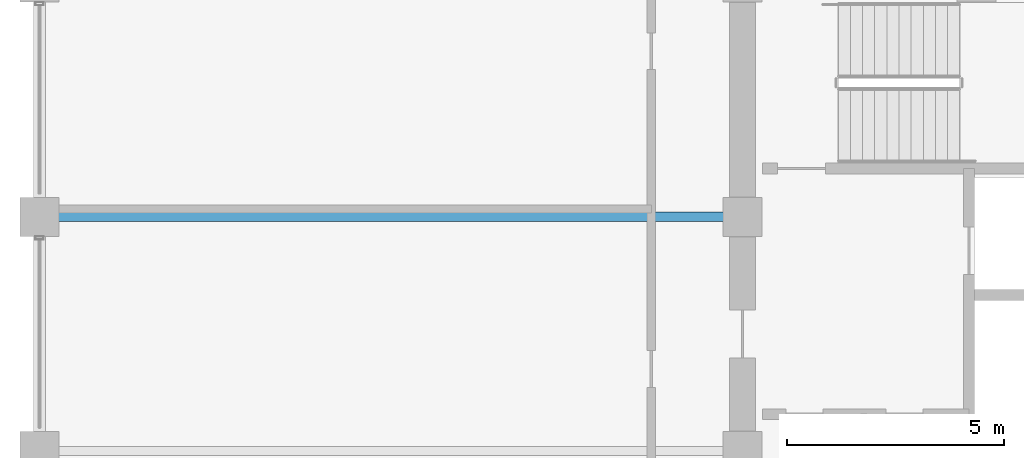
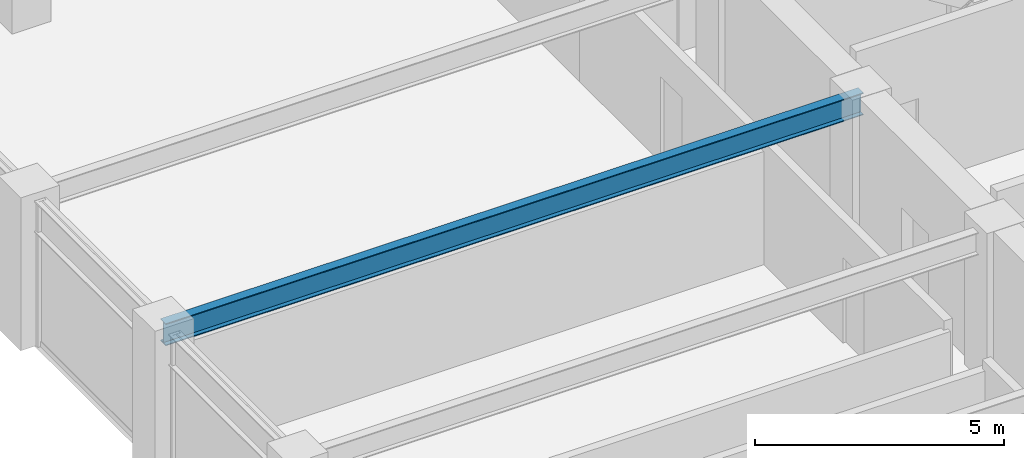
# One storey, part 11 of 32: 1 beam.
"""IFC4 building model written with IfcOpenShell, lengths in metres."""

from ifc_helpers import new_model, si_unit, direction, frame, origin, origin_2d, place, context, subcontext, project, spatial, i_section, extrude, material, material_profile, profile_set, type_object, element, save


model = new_model("IFC4")

# Units and contexts
model_context = context("Model", 3, precision=1e-05, world=origin(), true_north=direction((0.0, 1.0)))
body_context = subcontext(model_context, "Body", "Model", "MODEL_VIEW")
ifc_project = project(units=[si_unit("LENGTHUNIT", "METRE"), si_unit("AREAUNIT", "SQUARE_METRE"), si_unit("VOLUMEUNIT", "CUBIC_METRE"), si_unit("PLANEANGLEUNIT", "RADIAN"), si_unit("MASSUNIT", "GRAM", prefix="KILO")], contexts=[model_context])

# Site, building, storey
site_placement = place(None, origin())
site = spatial("IfcSite", under=ifc_project, at=site_placement, CompositionType="ELEMENT")
building_placement = place(site_placement, origin())
building = spatial("IfcBuilding", under=site, at=building_placement, Name="Surkhivell Harbour Commons", CompositionType="ELEMENT")
storey_placement = place(building_placement, frame((0.0, 0.0, 212.25)))
storey = spatial("IfcBuildingStorey", under=building, at=storey_placement, Name="L55", CompositionType="ELEMENT", Elevation=212.25)

# Beam
ifc_material = material(Name="Steel S355", Category="steel")
ifc_material_profile = material_profile(ifc_material, i_section(OverallWidth=0.2119140625, OverallDepth=0.5439453125, WebThickness=0.0126953125, FlangeThickness=0.021240234375, at=origin_2d()), Name="UB533x210x122")
ifc_profile_set = profile_set([ifc_material_profile], Name="Steel S355")
beam_type = type_object("IfcBeamType", Name="BM-GRD-533A", PredefinedType="BEAM", material=ifc_profile_set)
beam_placement = place(storey_placement, frame((-27.0, 5.39990234375, 3.298095703125), z_axis=(1.0, 0.0, 0.0), x_axis=(0.0, 1.0, 0.0)))
element("IfcBeam", 1, at=beam_placement, inside=storey, type_object=beam_type, Name="L55 Floor Girder (-27.0,5.4)", PredefinedType="BEAM", context=body_context, shape_type="SweptSolid", body=[
    extrude(i_section(OverallWidth=0.2119140625, OverallDepth=0.5439453125, WebThickness=0.0126953125, FlangeThickness=0.021240234375, at=origin_2d()), origin(), (0.0, 0.0, 1.0), 16.199951171875),
])

save(model, "model.ifc")
